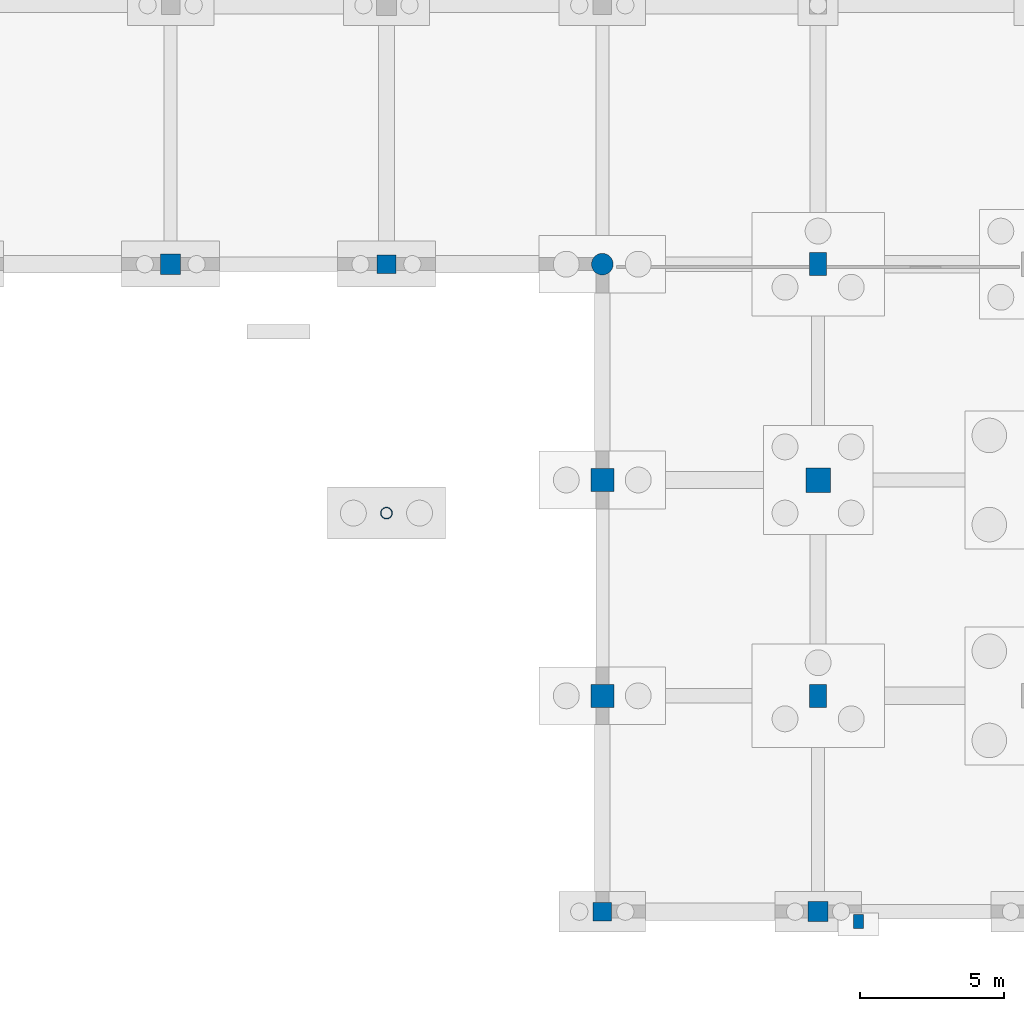
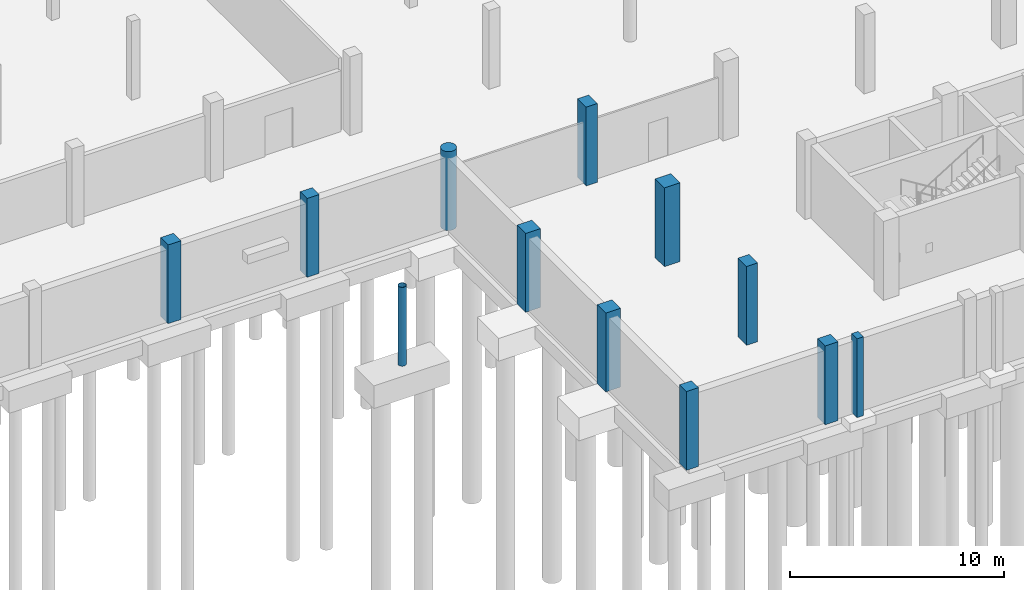
# One storey, part 19 of 42: 12 columns.
"""IFC4 building model written with IfcOpenShell, lengths in metres."""

from ifc_helpers import new_model, si_unit, direction, frame, origin, origin_2d, place, context, subcontext, project, spatial, rectangle, circle, hollow_circle, extrude, material, material_profile, profile_set, type_object, element, save


model = new_model("IFC4")

# Units and contexts
model_context = context("Model", 3, precision=1e-05, world=origin(), true_north=direction((0.0, 1.0)))
body_context = subcontext(model_context, "Body", "Model", "MODEL_VIEW")
ifc_project = project(units=[si_unit("LENGTHUNIT", "METRE"), si_unit("AREAUNIT", "SQUARE_METRE"), si_unit("VOLUMEUNIT", "CUBIC_METRE"), si_unit("PLANEANGLEUNIT", "RADIAN"), si_unit("MASSUNIT", "GRAM", prefix="KILO")], contexts=[model_context])

# Site, building, storey
site_placement = place(None, origin())
site = spatial("IfcSite", under=ifc_project, at=site_placement, CompositionType="ELEMENT")
building_placement = place(site_placement, origin())
building = spatial("IfcBuilding", under=site, at=building_placement, Name="Dalvernix Boulevard General Hospital", CompositionType="ELEMENT")
storey_placement = place(building_placement, frame((0.0, 0.0, -4.5)))
storey = spatial("IfcBuildingStorey", under=building, at=storey_placement, Name="B1", CompositionType="ELEMENT", Elevation=-4.5)

# Columns
ifc_material_1 = material(Name="Concrete C40/50", Category="concrete")
ifc_material_profile_1 = material_profile(ifc_material_1, rectangle(XDim=0.85009765625, YDim=0.85009765625, at=origin_2d()), Name="RC 850x850")
ifc_profile_set_1 = profile_set([ifc_material_profile_1], Name="Concrete C40/50")
column_type_1 = type_object("IfcColumnType", Name="COL-C-02-I", PredefinedType="COLUMN", material=ifc_profile_set_1)
column_1_placement = place(storey_placement, frame((120.0, 15.0, 0.0), z_axis=(0.0, 0.0, 1.0), x_axis=(1.0, 0.0, 0.0)))
element("IfcColumn", 1, at=column_1_placement, inside=storey, type_object=column_type_1, Name="B1 column 17C", PredefinedType="COLUMN", context=body_context, shape_type="SweptSolid", body=[
    extrude(rectangle(XDim=0.85009765625, YDim=0.85009765625, at=origin_2d()), origin(), (0.0, 0.0, 1.0), 4.5),
])
ifc_material_profile_2 = material_profile(ifc_material_1, rectangle(XDim=0.800048828125, YDim=0.800048828125, at=origin_2d()), Name="RC 800x800")
ifc_profile_set_2 = profile_set([ifc_material_profile_2], Name="Concrete C40/50")
column_type_2 = type_object("IfcColumnType", Name="COL-C-03-E", PredefinedType="COLUMN", material=ifc_profile_set_2)
for number, where, z_axis, x_axis, name in (
    (2, (112.5, 7.5, 0.0), (0.0, 0.0, 1.0), (1.0, 0.0, 0.0), "B1 column 16B"),
    (3, (112.5, 15.0, 0.0), (0.0, 0.0, 1.0), (1.0, 0.0, 0.0), "B1 column 16C"),
):
    element("IfcColumn", number, at=place(storey_placement, frame(where, z_axis=z_axis, x_axis=x_axis)), inside=storey, type_object=column_type_2, Name=name, PredefinedType="COLUMN", context=body_context, shape_type="SweptSolid", body=[
        extrude(rectangle(XDim=0.800048828125, YDim=0.800048828125, at=origin_2d()), origin(), (0.0, 0.0, 1.0), 4.5),
    ])
ifc_material_profile_3 = material_profile(ifc_material_1, rectangle(XDim=0.699951171875, YDim=0.699951171875, at=origin_2d()), Name="RC 700x700")
ifc_profile_set_3 = profile_set([ifc_material_profile_3], Name="Concrete C40/50")
column_type_3 = type_object("IfcColumnType", Name="COL-C-05-E", PredefinedType="COLUMN", material=ifc_profile_set_3)
for number, where, z_axis, x_axis, name in (
    (4, (97.5, 22.5, 0.0), (0.0, 0.0, 1.0), (1.0, 0.0, 0.0), "B1 column 14D"),
    (5, (120.0, 0.0, 0.0), (0.0, 0.0, 1.0), (1.0, 0.0, 0.0), "B1 column 17A"),
):
    element("IfcColumn", number, at=place(storey_placement, frame(where, z_axis=z_axis, x_axis=x_axis)), inside=storey, type_object=column_type_3, Name=name, PredefinedType="COLUMN", context=body_context, shape_type="SweptSolid", body=[
        extrude(rectangle(XDim=0.699951171875, YDim=0.699951171875, at=origin_2d()), origin(), (0.0, 0.0, 1.0), 4.5),
    ])
ifc_material_profile_4 = material_profile(ifc_material_1, rectangle(XDim=0.64990234375, YDim=0.64990234375, at=origin_2d()), Name="RC 650x650")
ifc_profile_set_4 = profile_set([ifc_material_profile_4], Name="Concrete C40/50")
column_type_4 = type_object("IfcColumnType", Name="COL-C-06-E", PredefinedType="COLUMN", material=ifc_profile_set_4)
for number, where, z_axis, x_axis, name in (
    (6, (105.0, 22.5, 0.0), (0.0, 0.0, 1.0), (1.0, 0.0, 0.0), "B1 column 15D"),
    (7, (112.5, 0.0, 0.0), (0.0, 0.0, 1.0), (1.0, 0.0, 0.0), "B1 column 16A"),
):
    element("IfcColumn", number, at=place(storey_placement, frame(where, z_axis=z_axis, x_axis=x_axis)), inside=storey, type_object=column_type_4, Name=name, PredefinedType="COLUMN", context=body_context, shape_type="SweptSolid", body=[
        extrude(rectangle(XDim=0.64990234375, YDim=0.64990234375, at=origin_2d()), origin(), (0.0, 0.0, 1.0), 4.5),
    ])
ifc_material_profile_5 = material_profile(ifc_material_1, rectangle(XDim=0.60009765625, YDim=0.800048828125, at=origin_2d()), Name="RC 600x800")
ifc_profile_set_5 = profile_set([ifc_material_profile_5], Name="Concrete C40/50")
column_type_5 = type_object("IfcColumnType", Name="COL-C-11-I", PredefinedType="COLUMN", material=ifc_profile_set_5)
for number, where, z_axis, x_axis, name in (
    (8, (120.0, 7.5, 0.0), (0.0, 0.0, 1.0), (1.0, 0.0, 0.0), "B1 column 17B"),
    (9, (120.0, 22.5, 0.0), (0.0, 0.0, 1.0), (1.0, 0.0, 0.0), "B1 column 17D"),
):
    element("IfcColumn", number, at=place(storey_placement, frame(where, z_axis=z_axis, x_axis=x_axis)), inside=storey, type_object=column_type_5, Name=name, PredefinedType="COLUMN", context=body_context, shape_type="SweptSolid", body=[
        extrude(rectangle(XDim=0.60009765625, YDim=0.800048828125, at=origin_2d()), origin(), (0.0, 0.0, 1.0), 4.5),
    ])
ifc_material_profile_6 = material_profile(ifc_material_1, circle(Radius=0.375, at=origin_2d()), Name="RC D750")
ifc_profile_set_6 = profile_set([ifc_material_profile_6], Name="Concrete C40/50")
column_type_6 = type_object("IfcColumnType", Name="COL-C-14-E", PredefinedType="COLUMN", material=ifc_profile_set_6)
column_2_placement = place(storey_placement, frame((112.5, 22.5, 0.0), z_axis=(0.0, 0.0, 1.0), x_axis=(1.0, 0.0, 0.0)))
element("IfcColumn", 10, at=column_2_placement, inside=storey, type_object=column_type_6, Name="B1 column 16D", PredefinedType="COLUMN", context=body_context, shape_type="SweptSolid", body=[
    extrude(circle(Radius=0.375, at=origin_2d()), origin(), (0.0, 0.0, 1.0), 4.5),
])
ifc_material_2 = material(Name="Steel S355", Category="steel")
ifc_material_profile_7 = material_profile(ifc_material_2, hollow_circle(Radius=0.203125, WallThickness=0.01611328125, at=origin_2d()), Name="CHS 406.4x16.0")
ifc_profile_set_7 = profile_set([ifc_material_profile_7], Name="Steel S355")
column_type_7 = type_object("IfcColumnType", Name="COL-C-19", PredefinedType="COLUMN", material=ifc_profile_set_7)
column_3_placement = place(storey_placement, frame((105.0, 13.85009765625, 0.0), z_axis=(0.0, 0.0, 1.0), x_axis=(1.0, 0.0, 0.0)))
element("IfcColumn", 11, at=column_3_placement, inside=storey, type_object=column_type_7, Name="B1 Porte-cochere corner steel pylon B1-2", PredefinedType="COLUMN", context=body_context, shape_type="SweptSolid", body=[
    extrude(hollow_circle(Radius=0.203125, WallThickness=0.01611328125, at=origin_2d()), origin(), (0.0, 0.0, 1.0), 4.5),
])
ifc_material_profile_8 = material_profile(ifc_material_1, rectangle(XDim=0.35009765625, YDim=0.5, at=origin_2d()), Name="RC 350x500")
ifc_profile_set_8 = profile_set([ifc_material_profile_8], Name="Concrete C40/50")
column_type_8 = type_object("IfcColumnType", Name="COL-CP-01", PredefinedType="PILASTER", material=ifc_profile_set_8)
column_4_placement = place(storey_placement, frame((121.39990234375, -0.340087890625, 0.0), z_axis=(0.0, 0.0, 1.0), x_axis=(1.0, 0.0, 0.0)))
element("IfcColumn", 12, at=column_4_placement, inside=storey, type_object=column_type_8, Name="B1 boulevard facade pilaster 7", PredefinedType="PILASTER", context=body_context, shape_type="SweptSolid", body=[
    extrude(rectangle(XDim=0.35009765625, YDim=0.5, at=origin_2d()), origin(), (0.0, 0.0, 1.0), 4.5),
])

save(model, "model.ifc")
